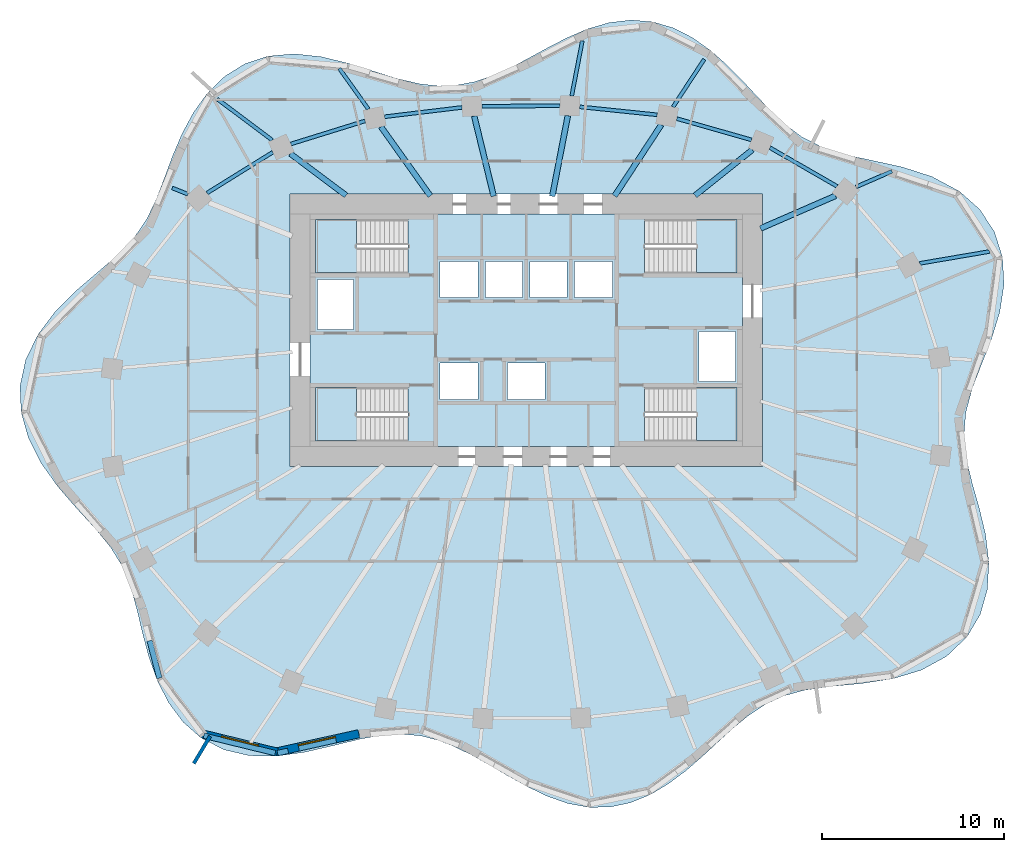
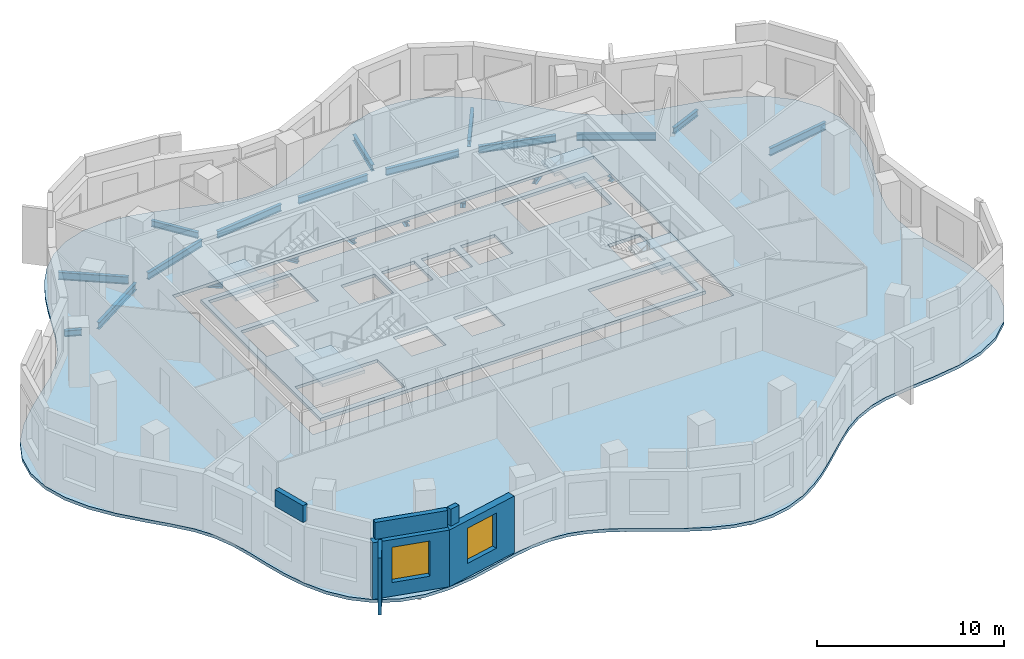
# One storey, part 2 of 9: 21 beams, 6 slabs, 6 walls, 2 windows, 2 openings, 4 elements without a shape of their own.
"""IFC4 building model written with IfcOpenShell, lengths in metres."""

import ifcopenshell
import ifcopenshell.guid

model = None  # the IFC model being written
_history = None  # IfcOwnerHistory: only IFC2X3 demands one
_inside = {}  # id of a spatial element -> (the spatial element, [elements in it])
_under = {}  # id of a project, library or spatial element -> (it, [spatial elements below it])
_declared = {}  # id of a project -> (the project, [libraries it declares])
_typed = {}  # id of a type object -> (the type object, [elements of that type])
_made_of = {}  # id of a material, layer set ... -> (it, [elements and type objects made of it])


def new_model(schema):
    """Start an empty IFC model of exactly this schema.

    Asked for "IFC4X3", IfcOpenShell would pick the latest addendum, in which some entities
    have other attributes; the version numbers below select the first issue.
    IFC2X3 requires an IfcOwnerHistory on every rooted entity: one is made here for all.
    """
    global model, _history
    if schema == "IFC4X3":
        model = ifcopenshell.file(schema_version=(4, 3, 0, 0))
    else:
        model = ifcopenshell.file(schema=schema)
    _inside.clear()
    _under.clear()
    _declared.clear()
    _typed.clear()
    _made_of.clear()
    _history = None
    if model.schema == "IFC2X3":
        org = make("IfcOrganization", Name="unknown")
        user = make(
            "IfcPersonAndOrganization",
            ThePerson=make("IfcPerson", FamilyName="unknown"),
            TheOrganization=org,
        )
        app = make(
            "IfcApplication",
            ApplicationDeveloper=org,
            Version="unknown",
            ApplicationFullName="unknown",
            ApplicationIdentifier="unknown",
        )
        _history = make(
            "IfcOwnerHistory",
            OwningUser=user,
            OwningApplication=app,
            ChangeAction="ADDED",
            CreationDate=0,
        )
    return model


def make(cls, **values):
    """One entity of the class cls with the attributes given. An attribute that is None is left unset."""
    return model.create_entity(
        cls, **{name: value for name, value in values.items() if value is not None}
    )


def rooted(cls, **values):
    """An entity with a GlobalId (a new one), such as an element, a storey or a relation."""
    return make(cls, GlobalId=ifcopenshell.guid.new(), OwnerHistory=_history, **values)


def si_unit(unit_type, name, prefix=None):
    """IfcSIUnit, for example si_unit("LENGTHUNIT", "METRE", prefix="MILLI")."""
    return make("IfcSIUnit", UnitType=unit_type, Prefix=prefix, Name=name)


def assignment(units):
    """IfcUnitAssignment: the units of a project."""
    return None if units is None else make("IfcUnitAssignment", Units=units)


def point(xyz):
    """IfcCartesianPoint."""
    return None if xyz is None else make("IfcCartesianPoint", Coordinates=xyz)


def direction(xyz):
    """IfcDirection."""
    return None if xyz is None else make("IfcDirection", DirectionRatios=xyz)


def frame(location, z_axis=None, x_axis=None):
    """IfcAxis2Placement3D, a coordinate frame: its origin and axes. An axis left out is left unset."""
    return make(
        "IfcAxis2Placement3D",
        Location=point(location),
        Axis=direction(z_axis),
        RefDirection=direction(x_axis),
    )


def frame_2d(location, x_axis=None):
    """IfcAxis2Placement2D, a coordinate frame in the plane: its origin and x axis."""
    return make(
        "IfcAxis2Placement2D", Location=point(location), RefDirection=direction(x_axis)
    )


def origin():
    """The frame at (0, 0, 0) with its axes left unset."""
    return frame((0.0, 0.0, 0.0))


def origin_2d():
    """The frame at (0, 0) in the plane with its x axis left unset."""
    return frame_2d((0.0, 0.0))


def place(relative_to, where):
    """IfcLocalPlacement: puts the frame where relative to a parent placement (None: the world)."""
    return make(
        "IfcLocalPlacement", PlacementRelTo=relative_to, RelativePlacement=where
    )


def context(
    kind, dimensions, precision=None, world=None, true_north=None, identifier=None
):
    """IfcGeometricRepresentationContext, for example the 3D "Model" context."""
    return make(
        "IfcGeometricRepresentationContext",
        ContextIdentifier=identifier,
        ContextType=kind,
        CoordinateSpaceDimension=dimensions,
        Precision=precision,
        WorldCoordinateSystem=world,
        TrueNorth=true_north,
    )


def subcontext(parent, identifier, kind, view, scale=None):
    """IfcGeometricRepresentationSubContext, for example "Body" below "Model"."""
    return make(
        "IfcGeometricRepresentationSubContext",
        ContextIdentifier=identifier,
        ContextType=kind,
        ParentContext=parent,
        TargetScale=scale,
        TargetView=view,
    )


def project(units=None, contexts=None):
    """IfcProject with its units and contexts."""
    return rooted(
        "IfcProject",
        Name="project",
        RepresentationContexts=contexts,
        UnitsInContext=assignment(units),
    )


def spatial(cls, under=None, at=None, **own):
    """A site, building, storey or space (cls), placed at a placement, below another one or the project."""
    s = rooted(cls, ObjectPlacement=at, **own)
    if under is not None:
        _under.setdefault(under.id(), (under, []))[1].append(s)
    return s


def polyline(points):
    """IfcPolyline through the points."""
    return make("IfcPolyline", Points=[point(p) for p in points])


def profile(cls, at=None, kind="AREA", **sizes):
    """A parametric profile (cls). Its sizes go by their IFC names, for example OverallWidth=200.0."""
    return make(cls, ProfileType=kind, Position=at, **sizes)


def rectangle(**sizes):
    """IfcRectangleProfileDef."""
    return profile("IfcRectangleProfileDef", **sizes)


def i_section(**sizes):
    """IfcIShapeProfileDef."""
    return profile("IfcIShapeProfileDef", **sizes)


def outline(outer, holes=None, kind="AREA"):
    """IfcArbitraryClosedProfileDef: a profile drawn as a closed curve; with holes, ...WithVoids."""
    if holes is None:
        return make("IfcArbitraryClosedProfileDef", ProfileType=kind, OuterCurve=outer)
    return make(
        "IfcArbitraryProfileDefWithVoids",
        ProfileType=kind,
        OuterCurve=outer,
        InnerCurves=holes,
    )


def extrude(swept, where, along, depth):
    """IfcExtrudedAreaSolid: the profile swept, set in the frame where, extruded along a direction by depth."""
    return make(
        "IfcExtrudedAreaSolid",
        SweptArea=swept,
        Position=where,
        ExtrudedDirection=direction(along),
        Depth=depth,
    )


def shape(context_of_items, identifier, shape_type, items):
    """IfcShapeRepresentation: the items that make up one representation, for example the "Body"."""
    return make(
        "IfcShapeRepresentation",
        ContextOfItems=context_of_items,
        RepresentationIdentifier=identifier,
        RepresentationType=shape_type,
        Items=items,
    )


def material(Name=None, Category=None):
    """IfcMaterial."""
    return make("IfcMaterial", Name=Name, Category=Category)


def layer(
    of_material, thickness, ventilated=None, Name=None, Category=None, Priority=None
):
    """IfcMaterialLayer: one layer of a wall or slab, of a material (None: an air gap)."""
    return make(
        "IfcMaterialLayer",
        Material=of_material,
        LayerThickness=thickness,
        IsVentilated=ventilated,
        Name=Name,
        Category=Category,
        Priority=Priority,
    )


def layer_set(layers, Name=None):
    """IfcMaterialLayerSet."""
    return make("IfcMaterialLayerSet", MaterialLayers=layers, LayerSetName=Name)


def material_profile(
    of_material, cross_section, Name=None, Category=None, Priority=None
):
    """IfcMaterialProfile: a cross section and its material."""
    return make(
        "IfcMaterialProfile",
        Name=Name,
        Material=of_material,
        Profile=cross_section,
        Priority=Priority,
        Category=Category,
    )


def profile_set(profiles, Name=None, composite=None):
    """IfcMaterialProfileSet."""
    return make(
        "IfcMaterialProfileSet",
        Name=Name,
        MaterialProfiles=profiles,
        CompositeProfile=composite,
    )


def made_of(thing, what):
    """Note that an element or type object is made of a material, layer set ...; save() writes the relation."""
    if what is not None:
        _made_of.setdefault(what.id(), (what, []))[1].append(thing)
    return thing


def type_object(cls, material=None, **own):
    """A type object (cls), such as IfcWallType, which elements share."""
    return made_of(rooted(cls, **own), material)


def element(
    cls,
    number,
    at=None,
    inside=None,
    cuts=None,
    type_object=None,
    material=None,
    context=None,
    identifier="Body",
    shape_type=None,
    held_by="IfcProductDefinitionShape",
    body=None,
    shapes=None,
    **own,
):
    """One element of the class cls, such as IfcWall. Its Tag is "e" and its number.

    at: its placement. inside: the storey or other place that contains it. cuts: it is an
    opening in that element (IfcRelVoidsElement). A single representation is given by context,
    identifier, shape_type and body (its items); several are given by shapes. held_by: the class
    of the entity that holds the representations. save() writes the other relations.
    """
    e = rooted(cls, Tag="e%d" % number, ObjectPlacement=at, **own)
    if body is not None:
        shapes = [shape(context, identifier, shape_type, body)]
    if shapes is not None:
        e.Representation = make(held_by, Representations=shapes)
    if inside is not None:
        _inside.setdefault(inside.id(), (inside, []))[1].append(e)
    if cuts is not None:
        rooted(
            "IfcRelVoidsElement", RelatingBuildingElement=cuts, RelatedOpeningElement=e
        )
    if type_object is not None:
        _typed.setdefault(type_object.id(), (type_object, []))[1].append(e)
    return made_of(e, material)


def fill(opening, filler):
    """IfcRelFillsElement: the door or window that sits in an opening."""
    return rooted(
        "IfcRelFillsElement",
        RelatingOpeningElement=opening,
        RelatedBuildingElement=filler,
    )


def aggregate(whole, parts):
    """IfcRelAggregates: a whole, such as a stair, and the parts it consists of."""
    return rooted("IfcRelAggregates", RelatingObject=whole, RelatedObjects=parts)


def save(model, path):
    """Write the relations noted so far, then the file.

    IfcRelAggregates (storeys below a building ...), IfcRelContainedInSpatialStructure (elements
    in a storey), IfcRelDefinesByType, IfcRelAssociatesMaterial and IfcRelDeclares: one each for
    every whole, place, type object, material and project.
    """
    for whole, parts in _under.values():
        aggregate(whole, parts)
    for where, things in _inside.values():
        rooted(
            "IfcRelContainedInSpatialStructure",
            RelatedElements=things,
            RelatingStructure=where,
        )
    for kind, things in _typed.values():
        rooted("IfcRelDefinesByType", RelatedObjects=things, RelatingType=kind)
    for what, things in _made_of.values():
        rooted("IfcRelAssociatesMaterial", RelatedObjects=things, RelatingMaterial=what)
    for by, libraries in _declared.values():
        rooted("IfcRelDeclares", RelatingContext=by, RelatedDefinitions=libraries)
    model.write(path)


model = new_model("IFC4")

# Units and contexts
model_context = context("Model", 3, precision=1e-05, world=origin(), true_north=direction((0.0, 1.0)))
body_context = subcontext(model_context, "Body", "Model", "MODEL_VIEW")
ifc_project = project(units=[si_unit("LENGTHUNIT", "METRE"), si_unit("AREAUNIT", "SQUARE_METRE"), si_unit("VOLUMEUNIT", "CUBIC_METRE"), si_unit("PLANEANGLEUNIT", "RADIAN"), si_unit("MASSUNIT", "GRAM", prefix="KILO")], contexts=[model_context])

# Site, building, storey
site_placement = place(None, origin())
site = spatial("IfcSite", under=ifc_project, at=site_placement, CompositionType="ELEMENT")
building_placement = place(site_placement, origin())
building = spatial("IfcBuilding", under=site, at=building_placement, Name="Rubra Terraces Tower", CompositionType="ELEMENT")
storey_placement = place(building_placement, frame((0.0, 0.0, 142.199951171875)))
storey = spatial("IfcBuildingStorey", under=building, at=storey_placement, Name="L34", CompositionType="ELEMENT", Elevation=142.199951171875)

# Beams
ifc_material_1 = material(Name="Steel Q355B", Category="steel")
ifc_material_profile_1 = material_profile(ifc_material_1, i_section(OverallWidth=0.199951171875, OverallDepth=0.39990234375, WebThickness=0.008056640625, FlangeThickness=0.012939453125, at=origin_2d()), Name="HN 400x200x8x13")
ifc_profile_set_1 = profile_set([ifc_material_profile_1], Name="Steel Q355B")
beam_type_1 = type_object("IfcBeamType", Name="CANTILEVER BEAM HN 400x200x8x13", PredefinedType="BEAM", material=ifc_profile_set_1)
beam_1_placement = place(storey_placement, frame((18.14990234375, 12.39697265625, -0.39990234375), z_axis=(0.916837475413, 0.399260621246, 0.0), x_axis=(-0.399260621246, 0.916837475413, 0.0)))
element("IfcBeam", 1, at=beam_1_placement, inside=storey, type_object=beam_type_1, Name="beam-L34-cant-03", PredefinedType="BEAM", context=body_context, shape_type="SweptSolid", body=[
    extrude(i_section(OverallWidth=0.199951171875, OverallDepth=0.39990234375, WebThickness=0.008056640625, FlangeThickness=0.012939453125, at=origin_2d()), origin(), (0.0, 0.0, 1.0), 2.154296875),
])
beam_2_placement = place(storey_placement, frame((8.076904296875, 16.803955078125, -0.39990234375), z_axis=(0.548937876401, 0.83586315139, 0.0), x_axis=(-0.83586315139, 0.548937876401, 0.0)))
element("IfcBeam", 2, at=beam_2_placement, inside=storey, type_object=beam_type_1, Name="beam-L34-cant-05", PredefinedType="BEAM", context=body_context, shape_type="SweptSolid", body=[
    extrude(i_section(OverallWidth=0.199951171875, OverallDepth=0.39990234375, WebThickness=0.008056640625, FlangeThickness=0.012939453125, at=origin_2d()), origin(), (0.0, 0.0, 1.0), 3.126220703125),
])
beam_3_placement = place(storey_placement, frame((2.498046875, 17.406982421875, -0.39990234375), z_axis=(0.189676713401, 0.981846599217, 0.0), x_axis=(-0.981846599217, 0.189676713401, 0.0)))
element("IfcBeam", 3, at=beam_3_placement, inside=storey, type_object=beam_type_1, Name="beam-L34-cant-06", PredefinedType="BEAM", context=body_context, shape_type="SweptSolid", body=[
    extrude(i_section(OverallWidth=0.199951171875, OverallDepth=0.39990234375, WebThickness=0.008056640625, FlangeThickness=0.012939453125, at=origin_2d()), origin(), (0.0, 0.0, 1.0), 3.078857421875),
])
beam_4_placement = place(storey_placement, frame((-8.695068359375, 16.679931640625, -0.39990234375), z_axis=(-0.581002903786, 0.813901484083, 0.0), x_axis=(-0.813901484083, -0.581002903786, 0.0)))
element("IfcBeam", 4, at=beam_4_placement, inside=storey, type_object=beam_type_1, Name="beam-L34-cant-08", PredefinedType="BEAM", context=body_context, shape_type="SweptSolid", body=[
    extrude(i_section(OverallWidth=0.199951171875, OverallDepth=0.39990234375, WebThickness=0.008056640625, FlangeThickness=0.012939453125, at=origin_2d()), origin(), (0.0, 0.0, 1.0), 2.74853515625),
])
ifc_material_profile_2 = material_profile(ifc_material_1, i_section(OverallWidth=0.198974609375, OverallDepth=0.49609375, WebThickness=0.009033203125, FlangeThickness=0.013916015625, at=origin_2d()), Name="HN 496x199x9x14")
ifc_profile_set_2 = profile_set([ifc_material_profile_2], Name="Steel Q355B")
beam_type_2 = type_object("IfcBeamType", Name="CANTILEVER BEAM HN 496x199x9x14", PredefinedType="BEAM", material=ifc_profile_set_2)
beam_5_placement = place(storey_placement, frame((21.656982421875, 8.18798828125, -0.447998046875), z_axis=(0.985806786827, 0.16788382604, 0.0), x_axis=(-0.16788382604, 0.985806786827, 0.0)))
element("IfcBeam", 5, at=beam_5_placement, inside=storey, type_object=beam_type_2, Name="beam-L34-cant-02", PredefinedType="BEAM", context=body_context, shape_type="SweptSolid", body=[
    extrude(i_section(OverallWidth=0.198974609375, OverallDepth=0.49609375, WebThickness=0.009033203125, FlangeThickness=0.013916015625, at=origin_2d()), origin(), (0.0, 0.0, 1.0), 3.88427734375),
])
beam_6_placement = place(storey_placement, frame((-13.989013671875, 14.971923828125, -0.447998046875), z_axis=(-0.800563432958, 0.599248020281, 0.0), x_axis=(-0.599248020281, -0.800563432958, 0.0)))
element("IfcBeam", 6, at=beam_6_placement, inside=storey, type_object=beam_type_2, Name="beam-L34-cant-09", PredefinedType="BEAM", context=body_context, shape_type="SweptSolid", body=[
    extrude(i_section(OverallWidth=0.198974609375, OverallDepth=0.49609375, WebThickness=0.009033203125, FlangeThickness=0.013916015625, at=origin_2d()), origin(), (0.0, 0.0, 1.0), 3.79345703125),
])
ifc_material_profile_3 = material_profile(ifc_material_1, i_section(OverallWidth=0.199951171875, OverallDepth=0.39990234375, WebThickness=0.008056640625, FlangeThickness=0.012939453125, at=origin_2d()), Name="HN 400x200x8x13")
ifc_profile_set_3 = profile_set([ifc_material_profile_3], Name="Steel Q355B")
beam_type_3 = type_object("IfcBeamType", Name="CANTILEVER STUB HN 400x200x8x13", PredefinedType="BEAM", material=ifc_profile_set_3)
beam_7_placement = place(storey_placement, frame((-18.6201171875, 11.991943359375, -0.39990234375), z_axis=(-0.927539121082, 0.373726074636, 0.0), x_axis=(-0.373726074636, -0.927539121082, 0.0)))
element("IfcBeam", 7, at=beam_7_placement, inside=storey, type_object=beam_type_3, Name="beam-L34-cant-10", PredefinedType="BEAM", context=body_context, shape_type="SweptSolid", body=[
    extrude(i_section(OverallWidth=0.199951171875, OverallDepth=0.39990234375, WebThickness=0.008056640625, FlangeThickness=0.012939453125, at=origin_2d()), origin(), (0.0, 0.0, 1.0), 0.936767578125),
])
ifc_material_profile_4 = material_profile(ifc_material_1, i_section(OverallWidth=0.304931640625, OverallDepth=0.300048828125, WebThickness=0.014892578125, FlangeThickness=0.014892578125, at=origin_2d()), Name="HW 300x305x15x15")
ifc_profile_set_4 = profile_set([ifc_material_profile_4], Name="Steel Q355B")
beam_type_4 = type_object("IfcBeamType", Name="FLOOR BEAM HW 300x305x15x15", PredefinedType="BEAM", material=ifc_profile_set_4)
beam_8_placement = place(storey_placement, frame((17.01806640625, 11.905029296875, -0.349853515625), z_axis=(-0.916965704309, -0.398966035047, 0.0), x_axis=(0.398966035047, -0.916965704309, 0.0)))
element("IfcBeam", 8, at=beam_8_placement, inside=storey, type_object=beam_type_4, Name="beam-L34-floor-03", PredefinedType="BEAM", context=body_context, shape_type="SweptSolid", body=[
    extrude(i_section(OverallWidth=0.304931640625, OverallDepth=0.300048828125, WebThickness=0.014892578125, FlangeThickness=0.014892578125, at=origin_2d()), origin(), (0.0, 0.0, 1.0), 4.501953125),
])
beam_9_placement = place(storey_placement, frame((12.43798828125, 14.44091796875, -0.349853515625), z_axis=(-0.781170160898, -0.624318171867, 0.0), x_axis=(0.624318171867, -0.781170160898, 0.0)))
element("IfcBeam", 9, at=beam_9_placement, inside=storey, type_object=beam_type_4, Name="beam-L34-floor-04", PredefinedType="BEAM", context=body_context, shape_type="SweptSolid", body=[
    extrude(i_section(OverallWidth=0.304931640625, OverallDepth=0.300048828125, WebThickness=0.014892578125, FlangeThickness=0.014892578125, at=origin_2d()), origin(), (0.0, 0.0, 1.0), 4.02978515625),
])
beam_10_placement = place(storey_placement, frame((7.425048828125, 15.81005859375, -0.349853515625), z_axis=(-0.548820601732, -0.835940157616, 0.0), x_axis=(0.835940157616, -0.548820601732, 0.0)))
element("IfcBeam", 10, at=beam_10_placement, inside=storey, type_object=beam_type_4, Name="beam-L34-floor-05", PredefinedType="BEAM", context=body_context, shape_type="SweptSolid", body=[
    extrude(i_section(OverallWidth=0.304931640625, OverallDepth=0.300048828125, WebThickness=0.014892578125, FlangeThickness=0.014892578125, at=origin_2d()), origin(), (0.0, 0.0, 1.0), 4.677490234375),
])
beam_11_placement = place(storey_placement, frame((2.285888671875, 16.31689453125, -0.349853515625), z_axis=(-0.189927794489, -0.981798061151, 0.0), x_axis=(0.981798061151, -0.189927794489, 0.0)))
element("IfcBeam", 11, at=beam_11_placement, inside=storey, type_object=beam_type_4, Name="beam-L34-floor-06", PredefinedType="BEAM", context=body_context, shape_type="SweptSolid", body=[
    extrude(i_section(OverallWidth=0.304931640625, OverallDepth=0.300048828125, WebThickness=0.014892578125, FlangeThickness=0.014892578125, at=origin_2d()), origin(), (0.0, 0.0, 1.0), 4.51708984375),
])
beam_12_placement = place(storey_placement, frame((-2.866943359375, 16.29296875, -0.349853515625), z_axis=(0.236214306521, -0.971700983531, 0.0), x_axis=(0.971700983531, 0.236214306521, 0.0)))
element("IfcBeam", 12, at=beam_12_placement, inside=storey, type_object=beam_type_4, Name="beam-L34-floor-07", PredefinedType="BEAM", context=body_context, shape_type="SweptSolid", body=[
    extrude(i_section(OverallWidth=0.304931640625, OverallDepth=0.300048828125, WebThickness=0.014892578125, FlangeThickness=0.014892578125, at=origin_2d()), origin(), (0.0, 0.0, 1.0), 4.538330078125),
])
beam_13_placement = place(storey_placement, frame((-7.9990234375, 15.7041015625, -0.349853515625), z_axis=(0.581010755177, -0.813895879317, 0.0), x_axis=(0.813895879317, 0.581010755177, 0.0)))
element("IfcBeam", 13, at=beam_13_placement, inside=storey, type_object=beam_type_4, Name="beam-L34-floor-08", PredefinedType="BEAM", context=body_context, shape_type="SweptSolid", body=[
    extrude(i_section(OverallWidth=0.304931640625, OverallDepth=0.300048828125, WebThickness=0.014892578125, FlangeThickness=0.014892578125, at=origin_2d()), origin(), (0.0, 0.0, 1.0), 4.67138671875),
])
beam_14_placement = place(storey_placement, frame((-12.985107421875, 14.219970703125, -0.349853515625), z_axis=(0.800566460925, -0.599243975057, 0.0), x_axis=(0.599243975057, 0.800566460925, 0.0)))
element("IfcBeam", 14, at=beam_14_placement, inside=storey, type_object=beam_type_4, Name="beam-L34-floor-09", PredefinedType="BEAM", context=body_context, shape_type="SweptSolid", body=[
    extrude(i_section(OverallWidth=0.304931640625, OverallDepth=0.300048828125, WebThickness=0.014892578125, FlangeThickness=0.014892578125, at=origin_2d()), origin(), (0.0, 0.0, 1.0), 3.82470703125),
])
ifc_material_profile_5 = material_profile(ifc_material_1, i_section(OverallWidth=0.198974609375, OverallDepth=0.446044921875, WebThickness=0.008056640625, FlangeThickness=0.011962890625, at=origin_2d()), Name="HN 446x199x8x12")
ifc_profile_set_5 = profile_set([ifc_material_profile_5], Name="Steel Q355B")
beam_type_5 = type_object("IfcBeamType", Name="SPANDREL BEAM HN 446x199x8x12", PredefinedType="SPANDREL", material=ifc_profile_set_5)
beam_15_placement = place(storey_placement, frame((17.10009765625, 12.428955078125, -0.4228515625), z_axis=(-0.866560147027, 0.49907265161, 0.0), x_axis=(-0.49907265161, -0.866560147027, 0.0)))
element("IfcBeam", 15, at=beam_15_placement, inside=storey, type_object=beam_type_5, Name="beam-L34-spandrel-03", PredefinedType="SPANDREL", context=body_context, shape_type="SweptSolid", body=[
    extrude(i_section(OverallWidth=0.198974609375, OverallDepth=0.446044921875, WebThickness=0.008056640625, FlangeThickness=0.011962890625, at=origin_2d()), origin(), (0.0, 0.0, 1.0), 4.26171875),
])
beam_16_placement = place(storey_placement, frame((12.39404296875, 14.98388671875, -0.4228515625), z_axis=(-0.961693978406, 0.274125321518, 0.0), x_axis=(-0.274125321518, -0.961693978406, 0.0)))
element("IfcBeam", 16, at=beam_16_placement, inside=storey, type_object=beam_type_5, Name="beam-L34-spandrel-04", PredefinedType="SPANDREL", context=body_context, shape_type="SweptSolid", body=[
    extrude(i_section(OverallWidth=0.198974609375, OverallDepth=0.446044921875, WebThickness=0.008056640625, FlangeThickness=0.011962890625, at=origin_2d()), origin(), (0.0, 0.0, 1.0), 4.27587890625),
])
beam_17_placement = place(storey_placement, frame((7.201904296875, 16.364013671875, -0.4228515625), z_axis=(-0.994691190497, 0.102904983103, 0.0), x_axis=(-0.102904983103, -0.994691190497, 0.0)))
element("IfcBeam", 17, at=beam_17_placement, inside=storey, type_object=beam_type_5, Name="beam-L34-spandrel-05", PredefinedType="SPANDREL", context=body_context, shape_type="SweptSolid", body=[
    extrude(i_section(OverallWidth=0.198974609375, OverallDepth=0.446044921875, WebThickness=0.008056640625, FlangeThickness=0.011962890625, at=origin_2d()), origin(), (0.0, 0.0, 1.0), 4.28466796875),
])
beam_18_placement = place(storey_placement, frame((1.841064453125, 16.85888671875, -0.4228515625), z_axis=(-0.999989371096, -0.004610606731, 0.0), x_axis=(0.004610606731, -0.999989371096, 0.0)))
element("IfcBeam", 18, at=beam_18_placement, inside=storey, type_object=beam_type_5, Name="beam-L34-spandrel-06", PredefinedType="SPANDREL", context=body_context, shape_type="SweptSolid", body=[
    extrude(i_section(OverallWidth=0.198974609375, OverallDepth=0.446044921875, WebThickness=0.008056640625, FlangeThickness=0.011962890625, at=origin_2d()), origin(), (0.0, 0.0, 1.0), 4.2890625),
])
beam_19_placement = place(storey_placement, frame((-3.5458984375, 16.77001953125, -0.4228515625), z_axis=(-0.992833084949, -0.119509269223, 0.0), x_axis=(0.119509269223, -0.992833084949, 0.0)))
element("IfcBeam", 19, at=beam_19_placement, inside=storey, type_object=beam_type_5, Name="beam-L34-spandrel-07", PredefinedType="SPANDREL", context=body_context, shape_type="SweptSolid", body=[
    extrude(i_section(OverallWidth=0.198974609375, OverallDepth=0.446044921875, WebThickness=0.008056640625, FlangeThickness=0.011962890625, at=origin_2d()), origin(), (0.0, 0.0, 1.0), 4.283935546875),
])
beam_20_placement = place(storey_placement, frame((-8.8740234375, 16.028076171875, -0.4228515625), z_axis=(-0.955002801089, -0.296596780008, 0.0), x_axis=(0.296596780008, -0.955002801089, 0.0)))
element("IfcBeam", 20, at=beam_20_placement, inside=storey, type_object=beam_type_5, Name="beam-L34-spandrel-08", PredefinedType="SPANDREL", context=body_context, shape_type="SweptSolid", body=[
    extrude(i_section(OverallWidth=0.198974609375, OverallDepth=0.446044921875, WebThickness=0.008056640625, FlangeThickness=0.011962890625, at=origin_2d()), origin(), (0.0, 0.0, 1.0), 4.275390625),
])
beam_21_placement = place(storey_placement, frame((-13.9580078125, 14.303955078125, -0.4228515625), z_axis=(-0.849549830498, -0.527508374816, 0.0), x_axis=(0.527508374816, -0.849549830498, 0.0)))
element("IfcBeam", 21, at=beam_21_placement, inside=storey, type_object=beam_type_5, Name="beam-L34-spandrel-09", PredefinedType="SPANDREL", context=body_context, shape_type="SweptSolid", body=[
    extrude(i_section(OverallWidth=0.198974609375, OverallDepth=0.446044921875, WebThickness=0.008056640625, FlangeThickness=0.011962890625, at=origin_2d()), origin(), (0.0, 0.0, 1.0), 4.259765625),
])

# Slab
ifc_material_2 = material(Name="Concrete C40", Category="concrete")
ifc_layer_1 = layer(ifc_material_2, 0.199951171875)
ifc_layer_set_1 = layer_set([ifc_layer_1], Name="Concrete C40")
slab_type_1 = type_object("IfcSlabType", Name="Core floor slab 200 concrete", PredefinedType="FLOOR", material=ifc_layer_set_1)
slab_1_placement = place(storey_placement, frame((0.0, 0.0, -0.199951171875)))
element("IfcSlab", 22, at=slab_1_placement, inside=storey, type_object=slab_type_1, Name="CORE FLOOR SLAB L34", PredefinedType="FLOOR", context=body_context, shape_type="SweptSolid", body=[
    extrude(outline(polyline([(-11.89990234375, -1.89990234375), (-11.89990234375, 10.89990234375), (11.89990234375, 10.89990234375), (11.89990234375, -1.89990234375), (-11.89990234375, -1.89990234375)]), holes=[polyline([(11.597900390625, 1.347900390625), (6.501953125, 1.347900390625), (6.501953125, -1.597900390625), (11.597900390625, -1.597900390625), (11.597900390625, 1.347900390625)]), polyline([(11.597900390625, 7.652099609375), (11.597900390625, 10.597900390625), (6.501953125, 10.597900390625), (6.501953125, 7.652099609375), (11.597900390625, 7.652099609375)]), polyline([(9.5, 1.699951171875), (11.5, 1.699951171875), (11.5, 4.449951171875), (9.5, 4.449951171875), (9.5, 1.699951171875)]), polyline([(4.75, 6.300048828125), (4.75, 8.300048828125), (2.64990234375, 8.300048828125), (2.64990234375, 6.300048828125), (4.75, 6.300048828125)]), polyline([(2.25, 8.300048828125), (0.199951171875, 8.300048828125), (0.199951171875, 6.300048828125), (2.25, 6.300048828125), (2.25, 8.300048828125)]), polyline([(1.02490234375, 0.699951171875), (1.02490234375, 2.699951171875), (-1.02490234375, 2.699951171875), (-1.02490234375, 0.699951171875), (1.02490234375, 0.699951171875)]), polyline([(-0.199951171875, 6.300048828125), (-0.199951171875, 8.300048828125), (-2.25, 8.300048828125), (-2.25, 6.300048828125), (-0.199951171875, 6.300048828125)]), polyline([(-4.75, 8.300048828125), (-4.75, 6.300048828125), (-2.64990234375, 6.300048828125), (-2.64990234375, 8.300048828125), (-4.75, 8.300048828125)]), polyline([(-2.64990234375, 0.699951171875), (-2.64990234375, 2.699951171875), (-4.75, 2.699951171875), (-4.75, 0.699951171875), (-2.64990234375, 0.699951171875)]), polyline([(-11.597900390625, -1.597900390625), (-6.501953125, -1.597900390625), (-6.501953125, 1.347900390625), (-11.597900390625, 1.347900390625), (-11.597900390625, -1.597900390625)]), polyline([(-11.597900390625, 10.597900390625), (-11.597900390625, 7.652099609375), (-6.501953125, 7.652099609375), (-6.501953125, 10.597900390625), (-11.597900390625, 10.597900390625)]), polyline([(-9.5, 4.550048828125), (-9.5, 7.300048828125), (-11.5, 7.300048828125), (-11.5, 4.550048828125), (-9.5, 4.550048828125)])]), origin(), (0.0, 0.0, 1.0), 0.199951171875),
])

# Stair, slab
stair_type = type_object("IfcStairType", Name="Core stair 1400", PredefinedType="HALF_TURN_STAIR", material=ifc_material_2)
stair_1_placement = place(storey_placement, origin())
stair_1 = element("IfcStair", 23, at=stair_1_placement, inside=storey, type_object=stair_type, Name="L34 Exit stair S1", PredefinedType="HALF_TURN_STAIR")
ifc_layer_2 = layer(ifc_material_2, 0.199951171875)
ifc_layer_set_2 = layer_set([ifc_layer_2], Name="Concrete C40")
slab_type_2 = type_object("IfcSlabType", Name="Core stair landing 200", PredefinedType="LANDING", material=ifc_layer_set_2)
slab_2_placement = place(storey_placement, frame((0.0, 0.0, 1.75)))
slab_2 = element("IfcSlab", 24, at=slab_2_placement, type_object=slab_type_2, Name="S1 landing 1", PredefinedType="LANDING", context=body_context, shape_type="SweptSolid", body=[
    extrude(outline(polyline([(-8.97998046875, -0.199951171875), (-8.97998046875, -1.60009765625), (-9.360107421875, -1.60009765625), (-9.3798828125, -1.60009765625), (-11.60009765625, -1.60009765625), (-11.60009765625, 1.35009765625), (-9.3798828125, 1.35009765625), (-9.35791015625, 1.35009765625), (-9.35791015625, -0.050048828125), (-9.360107421875, -0.050048828125), (-9.360107421875, -0.199951171875), (-8.97998046875, -0.199951171875)])), origin(), (0.0, 0.0, 1.0), 0.199951171875),
])
aggregate(stair_1, [slab_2])

stair_2_placement = place(storey_placement, origin())
stair_2 = element("IfcStair", 25, at=stair_2_placement, inside=storey, type_object=stair_type, Name="L34 Exit stair S2", PredefinedType="HALF_TURN_STAIR")
slab_3_placement = place(storey_placement, frame((0.0, 0.0, 1.75)))
slab_3 = element("IfcSlab", 26, at=slab_3_placement, type_object=slab_type_2, Name="S2 landing 1", PredefinedType="LANDING", context=body_context, shape_type="SweptSolid", body=[
    extrude(outline(polyline([(-8.97998046875, 9.050048828125), (-8.97998046875, 7.64990234375), (-9.3798828125, 7.64990234375), (-11.60009765625, 7.64990234375), (-11.60009765625, 10.60009765625), (-9.3798828125, 10.60009765625), (-9.360107421875, 10.60009765625), (-9.35791015625, 10.60009765625), (-9.35791015625, 9.199951171875), (-9.360107421875, 9.199951171875), (-9.360107421875, 9.050048828125), (-8.97998046875, 9.050048828125)])), origin(), (0.0, 0.0, 1.0), 0.199951171875),
])
aggregate(stair_2, [slab_3])

stair_3_placement = place(storey_placement, origin())
stair_3 = element("IfcStair", 27, at=stair_3_placement, inside=storey, type_object=stair_type, Name="L34 Exit stair S3", PredefinedType="HALF_TURN_STAIR")
slab_4_placement = place(storey_placement, frame((0.0, 0.0, 1.75)))
slab_4 = element("IfcSlab", 28, at=slab_4_placement, type_object=slab_type_2, Name="S3 landing 1", PredefinedType="LANDING", context=body_context, shape_type="SweptSolid", body=[
    extrude(outline(polyline([(9.360107421875, 9.050048828125), (9.360107421875, 9.199951171875), (8.97998046875, 9.199951171875), (8.97998046875, 10.60009765625), (9.360107421875, 10.60009765625), (9.3798828125, 10.60009765625), (11.60009765625, 10.60009765625), (11.60009765625, 7.64990234375), (9.3798828125, 7.64990234375), (9.35791015625, 7.64990234375), (9.35791015625, 9.050048828125), (9.360107421875, 9.050048828125)])), origin(), (0.0, 0.0, 1.0), 0.199951171875),
])
aggregate(stair_3, [slab_4])

stair_4_placement = place(storey_placement, origin())
stair_4 = element("IfcStair", 29, at=stair_4_placement, inside=storey, type_object=stair_type, Name="L34 Exit stair S4", PredefinedType="HALF_TURN_STAIR")
slab_5_placement = place(storey_placement, frame((0.0, 0.0, 1.75)))
slab_5 = element("IfcSlab", 30, at=slab_5_placement, type_object=slab_type_2, Name="S4 landing 1", PredefinedType="LANDING", context=body_context, shape_type="SweptSolid", body=[
    extrude(outline(polyline([(9.360107421875, -0.199951171875), (9.360107421875, -0.050048828125), (8.97998046875, -0.050048828125), (8.97998046875, 1.35009765625), (9.360107421875, 1.35009765625), (9.3798828125, 1.35009765625), (11.60009765625, 1.35009765625), (11.60009765625, -1.60009765625), (9.3798828125, -1.60009765625), (9.360107421875, -1.60009765625), (9.35791015625, -1.60009765625), (9.35791015625, -0.199951171875), (9.360107421875, -0.199951171875)])), origin(), (0.0, 0.0, 1.0), 0.199951171875),
])
aggregate(stair_4, [slab_5])

# Slab
ifc_layer_3 = layer(ifc_material_2, 0.199951171875)
ifc_layer_set_3 = layer_set([ifc_layer_3], Name="Concrete C40")
slab_type_3 = type_object("IfcSlabType", Name="FLOOR SLAB 200 COMPOSITE", PredefinedType="FLOOR", material=ifc_layer_set_3)
slab_6_placement = place(storey_placement, frame((0.0, 0.0, -0.199951171875)))
element("IfcSlab", 31, at=slab_6_placement, inside=storey, type_object=slab_type_3, Name="FLOOR SLAB L34", PredefinedType="FLOOR", context=body_context, shape_type="SweptSolid", body=[
    extrude(outline(polyline([(24.0849609375, -1.2900390625), (24.193115234375, 0.0), (24.544921875, 1.305908203125), (25.05908203125, 2.64111328125), (25.614990234375, 4.056884765625), (26.06005859375, 5.510009765625), (26.291015625, 7.01806640625), (26.2109375, 8.51611328125), (25.76708984375, 9.925048828125), (24.9599609375, 11.156005859375), (23.844970703125, 12.14990234375), (22.326904296875, 12.964111328125), (20.68408203125, 13.493896484375), (19.06005859375, 13.847900390625), (17.616943359375, 14.156005859375), (16.318115234375, 14.56103515625), (15.156005859375, 15.156005859375), (14.306884765625, 15.7880859375), (13.486083984375, 16.553955078125), (12.658935546875, 17.424072265625), (11.868896484375, 18.27294921875), (11.032958984375, 19.117919921875), (10.14208984375, 19.905029296875), (9.14306640625, 20.613037109375), (8.0849609375, 21.14990234375), (6.97900390625, 21.47900390625), (5.77294921875, 21.5830078125), (4.552978515625, 21.43994140625), (3.339111328125, 21.0810546875), (2.205078125, 20.589111328125), (1.093017578125, 20.010986328125), (0.0, 19.4130859375), (-0.97509765625, 18.9140625), (-1.93408203125, 18.491943359375), (-2.87890625, 18.179931640625), (-3.867919921875, 17.991943359375), (-4.861083984375, 17.9580078125), (-5.8720703125, 18.071044921875), (-7.123046875, 18.365966796875), (-8.426025390625, 18.77001953125), (-9.780029296875, 19.194091796875), (-11.27392578125, 19.56005859375), (-12.77490234375, 19.721923828125), (-14.23388671875, 19.592041015625), (-15.471923828125, 19.18310546875), (-16.589111328125, 18.493896484375), (-17.555908203125, 17.555908203125), (-18.319091796875, 16.498046875), (-18.945068359375, 15.3349609375), (-19.4560546875, 14.135986328125), (-19.930908203125, 12.864013671875), (-20.384033203125, 11.68798828125), (-20.885009765625, 10.64111328125), (-21.60595703125, 9.577880859375), (-22.52294921875, 8.62109375), (-23.623046875, 7.676025390625), (-24.782958984375, 6.68310546875), (-25.9169921875, 5.549072265625), (-26.887939453125, 4.259033203125), (-27.554931640625, 2.8779296875), (-27.867919921875, 1.43408203125), (-27.806884765625, 0.0), (-27.407958984375, -1.41796875), (-26.7099609375, -2.801025390625), (-25.800048828125, -4.0859375), (-24.75390625, -5.2958984375), (-23.74609375, -6.39208984375), (-22.884033203125, -7.43603515625), (-22.239990234375, -8.47900390625), (-21.77294921875, -9.625), (-21.419921875, -10.9140625), (-21.1298828125, -12.15087890625), (-20.782958984375, -13.4541015625), (-20.31689453125, -14.761962890625), (-19.697021484375, -15.98193359375), (-18.89697265625, -17.056884765625), (-17.919921875, -17.919921875), (-16.65087890625, -18.5810546875), (-15.242919921875, -18.908935546875), (-13.757080078125, -18.93505859375), (-12.18310546875, -18.716064453125), (-10.64404296875, -18.361083984375), (-9.172119140625, -18.001953125), (-8.00390625, -17.7900390625), (-6.881103515625, -17.718017578125), (-5.7900390625, -17.821044921875), (-4.862060546875, -18.05810546875), (-3.931884765625, -18.422119140625), (-2.991943359375, -18.889892578125), (-2.012939453125, -19.44091796875), (-1.013916015625, -20.02294921875), (0.0, -20.5869140625), (1.131103515625, -21.134033203125), (2.281005859375, -21.5400390625), (3.445068359375, -21.751953125), (4.596923828125, -21.739990234375), (5.73291015625, -21.5), (6.837890625, -21.0439453125), (7.826904296875, -20.4541015625), (8.77099609375, -19.748046875), (9.6669921875, -18.972900390625), (10.52490234375, -18.180908203125), (11.35302734375, -17.426025390625), (12.1689453125, -16.7490234375), (13.155029296875, -16.091064453125), (14.18994140625, -15.613037109375), (15.305908203125, -15.305908203125), (16.818115234375, -15.093994140625), (18.468994140625, -14.93701171875), (20.19189453125, -14.669921875), (21.739013671875, -14.201904296875), (23.134033203125, -13.43896484375), (24.260986328125, -12.362060546875), (24.98291015625, -11.135986328125), (25.3779296875, -9.7451171875), (25.4599609375, -8.27294921875), (25.278076171875, -6.735107421875), (24.927001953125, -5.261962890625), (24.534912109375, -3.885986328125), (24.218017578125, -2.56396484375), (24.0849609375, -1.2900390625)]), holes=[polyline([(13.0, 12.0), (13.0, -3.0), (-13.0, -3.0), (-13.0, 12.0), (13.0, 12.0)])]), origin(), (0.0, 0.0, 1.0), 0.199951171875),
])

# Wall, opening, window
ifc_material_3 = material(Name="Brick masonry red-brown", Category="masonry")
ifc_layer_4 = layer(ifc_material_3, 0.449951171875)
ifc_layer_set_4 = layer_set([ifc_layer_4], Name="Brick masonry red-brown")
wall_type_1 = type_object("IfcWallType", Name="Brick facade wall 450", PredefinedType="SOLIDWALL", material=ifc_layer_set_4)
wall_1_placement = place(storey_placement, frame((-17.86669921875, -17.701416015625, 0.0), z_axis=(0.0, 0.0, 1.0), x_axis=(0.971546885012, -0.236847314156, 0.0)))
wall_1 = element("IfcWall", 32, at=wall_1_placement, inside=storey, type_object=wall_type_1, Name="Facade wall L34 bay 26", PredefinedType="SOLIDWALL", context=body_context, shape_type="SweptSolid", body=[
    extrude(rectangle(XDim=4.284912109375, YDim=0.449951171875, at=frame_2d((2.142578125, 0.0))), origin(), (0.0, 0.0, 1.0), 3.699951171875),
])
opening_1_placement = place(wall_1_placement, frame((1.092529296875, 0.0, 0.89990234375)))
opening_1 = element("IfcOpeningElement", 33, at=opening_1_placement, cuts=wall_1, Name="Opening W1B", PredefinedType="OPENING", context=body_context, shape_type="SweptSolid", body=[
    extrude(rectangle(XDim=2.10009765625, YDim=2.300048828125, at=frame_2d((1.050048828125, 1.14990234375))), frame((0.0, 0.23486328125, 0.0), z_axis=(0.0, -1.0, 0.0), x_axis=(1.0, 0.0, 0.0)), (0.0, 0.0, 1.0), 0.469970703125),
])
ifc_material_4 = material(Name="Clear glass in aluminium frame", Category="aluminium")
window_type = type_object("IfcWindowType", Name="Fixed deep-set window tall storey 2100 x 2300", PartitioningType="SINGLE_PANEL", PredefinedType="WINDOW", material=ifc_material_4)
window_1_placement = place(opening_1_placement, origin())
window_1 = element("IfcWindow", 34, at=window_1_placement, inside=storey, type_object=window_type, Name="Window L34 bay 26", OverallHeight=2.300048828125, OverallWidth=2.10009765625, PartitioningType="SINGLE_PANEL", PredefinedType="WINDOW", context=body_context, shape_type="SweptSolid", body=[
    extrude(rectangle(XDim=2.10009765625, YDim=2.300048828125, at=frame_2d((1.050048828125, 1.14990234375))), frame((0.0, 0.135009765625, 0.0), z_axis=(0.0, -1.0, 0.0), x_axis=(1.0, 0.0, 0.0)), (0.0, 0.0, 1.0), 0.06005859375),
])
fill(opening_1, window_1)

wall_2_placement = place(storey_placement, frame((-13.802001953125, -18.714599609375, 0.0), z_axis=(0.0, 0.0, 1.0), x_axis=(0.976380129166, 0.216059814331, 0.0)))
wall_2 = element("IfcWall", 35, at=wall_2_placement, inside=storey, type_object=wall_type_1, Name="Facade wall L34 bay 27", PredefinedType="SOLIDWALL", context=body_context, shape_type="SweptSolid", body=[
    extrude(rectangle(XDim=4.691650390625, YDim=0.449951171875, at=frame_2d((2.345703125, 0.0))), origin(), (0.0, 0.0, 1.0), 3.699951171875),
])
opening_2_placement = place(wall_2_placement, frame((1.295654296875, 0.0, 0.89990234375)))
opening_2 = element("IfcOpeningElement", 36, at=opening_2_placement, cuts=wall_2, Name="Opening W1B", PredefinedType="OPENING", context=body_context, shape_type="SweptSolid", body=[
    extrude(rectangle(XDim=2.10009765625, YDim=2.300048828125, at=frame_2d((1.050048828125, 1.14990234375))), frame((0.0, 0.23486328125, 0.0), z_axis=(0.0, -1.0, 0.0), x_axis=(1.0, 0.0, 0.0)), (0.0, 0.0, 1.0), 0.469970703125),
])
window_2_placement = place(opening_2_placement, origin())
window_2 = element("IfcWindow", 37, at=window_2_placement, inside=storey, type_object=window_type, Name="Window L34 bay 27", OverallHeight=2.300048828125, OverallWidth=2.10009765625, PartitioningType="SINGLE_PANEL", PredefinedType="WINDOW", context=body_context, shape_type="SweptSolid", body=[
    extrude(rectangle(XDim=2.10009765625, YDim=2.300048828125, at=frame_2d((1.050048828125, 1.14990234375))), frame((0.0, 0.135009765625, 0.0), z_axis=(0.0, -1.0, 0.0), x_axis=(1.0, 0.0, 0.0)), (0.0, 0.0, 1.0), 0.06005859375),
])
fill(opening_2, window_2)

# Walls
ifc_layer_5 = layer(ifc_material_3, 0.300048828125)
ifc_layer_set_5 = layer_set([ifc_layer_5], Name="Brick masonry red-brown")
wall_type_2 = type_object("IfcWallType", Name="Brick parapet 300", PredefinedType="PARAPET", material=ifc_layer_set_5)
wall_3_placement = place(storey_placement, frame((-20.73291015625, -12.578857421875, 3.900146484375), z_axis=(0.0, 0.0, 1.0), x_axis=(0.253024439664, -0.967459886989, 0.0)))
element("IfcWall", 38, at=wall_3_placement, inside=storey, type_object=wall_type_2, Name="Parapet L34 bay 24", PredefinedType="PARAPET", context=body_context, shape_type="SweptSolid", body=[
    extrude(rectangle(XDim=2.127685546875, YDim=0.300048828125, at=frame_2d((1.06396484375, 0.0))), origin(), (0.0, 0.0, 1.0), 1.099853515625),
])
wall_4_placement = place(storey_placement, frame((-17.751708984375, -17.806640625, 3.900146484375), z_axis=(0.0, 0.0, 1.0), x_axis=(0.971541327586, -0.236870109537, 0.0)))
element("IfcWall", 39, at=wall_4_placement, inside=storey, type_object=wall_type_2, Name="Parapet L34 bay 26", PredefinedType="PARAPET", context=body_context, shape_type="SweptSolid", body=[
    extrude(rectangle(XDim=4.048583984375, YDim=0.300048828125, at=frame_2d((2.0244140625, 0.0))), origin(), (0.0, 0.0, 1.0), 1.099853515625),
])
wall_5_placement = place(storey_placement, frame((-13.69189453125, -18.76708984375, 3.900146484375), z_axis=(0.0, 0.0, 1.0), x_axis=(0.976322856637, 0.216318468024, 0.0)))
element("IfcWall", 40, at=wall_5_placement, inside=storey, type_object=wall_type_2, Name="Parapet L34 bay 27", PredefinedType="PARAPET", context=body_context, shape_type="SweptSolid", body=[
    extrude(rectangle(XDim=0.59130859375, YDim=0.300048828125, at=frame_2d((0.295654296875, 0.0))), origin(), (0.0, 0.0, 1.0), 1.099853515625),
])
ifc_layer_6 = layer(ifc_material_3, 0.199951171875)
ifc_layer_set_6 = layer_set([ifc_layer_6], Name="Brick masonry red-brown")
wall_type_3 = type_object("IfcWallType", Name="Brick wind fin 200", PredefinedType="SOLIDWALL", material=ifc_layer_set_6)
wall_6_placement = place(storey_placement, frame((-17.406005859375, -17.8349609375, 0.0), z_axis=(0.0, 0.0, 1.0), x_axis=(-0.512648290506, -0.858598701514, 0.0)))
element("IfcWall", 41, at=wall_6_placement, inside=storey, type_object=wall_type_3, Name="Wind fin L34 13", PredefinedType="SOLIDWALL", context=body_context, shape_type="SweptSolid", body=[
    extrude(rectangle(XDim=1.750244140625, YDim=0.199951171875, at=frame_2d((0.875, 0.0))), origin(), (0.0, 0.0, 1.0), 3.699951171875),
])

save(model, "model.ifc")
